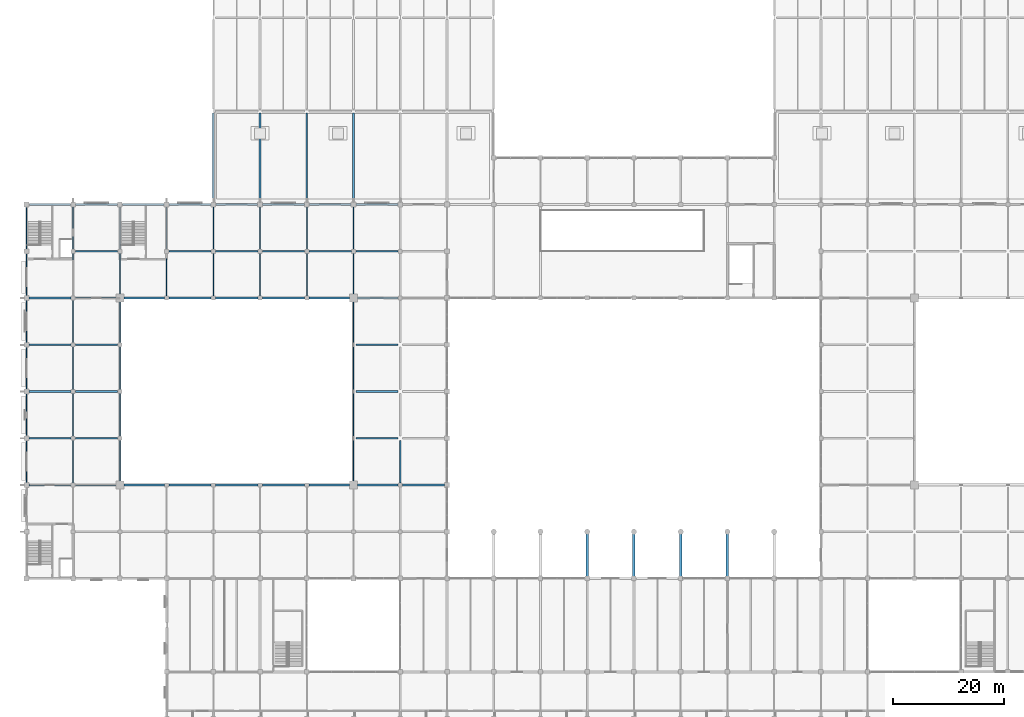
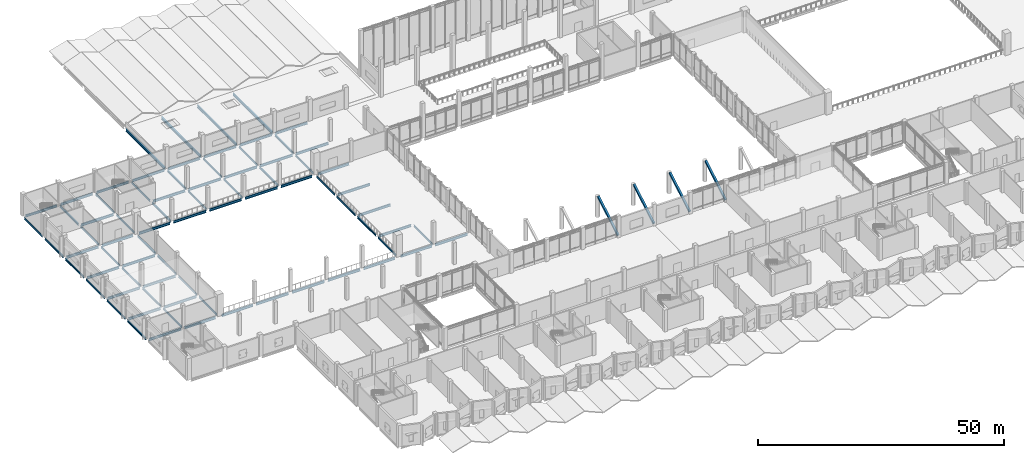
# One storey, part 13 of 72: 77 beams, 4 members.
"""IFC4 building model written with IfcOpenShell, lengths in metres."""

from ifc_helpers import new_model, si_unit, direction, frame, origin, origin_2d, place, context, subcontext, project, spatial, rectangle, i_section, extrude, material, material_profile, profile_set, type_object, element, save


model = new_model("IFC4")

# Units and contexts
model_context = context("Model", 3, precision=1e-05, world=origin(), true_north=direction((0.0, 1.0)))
body_context = subcontext(model_context, "Body", "Model", "MODEL_VIEW")
ifc_project = project(units=[si_unit("LENGTHUNIT", "METRE"), si_unit("AREAUNIT", "SQUARE_METRE"), si_unit("VOLUMEUNIT", "CUBIC_METRE"), si_unit("PLANEANGLEUNIT", "RADIAN"), si_unit("MASSUNIT", "GRAM", prefix="KILO")], contexts=[model_context])

# Site, building, storey
site_placement = place(None, origin())
site = spatial("IfcSite", under=ifc_project, at=site_placement, CompositionType="ELEMENT")
building_placement = place(site_placement, origin())
building = spatial("IfcBuilding", under=site, at=building_placement, Name="Qawsi Khor Wholesale Market", CompositionType="ELEMENT")
storey_placement = place(building_placement, frame((0.0, 0.0, 6.0)))
storey = spatial("IfcBuildingStorey", under=building, at=storey_placement, Name="L01", CompositionType="ELEMENT", Elevation=6.0)

# Beams
ifc_material_1 = material(Name="Steel S355", Category="steel")
ifc_material_profile_1 = material_profile(ifc_material_1, i_section(OverallWidth=0.300048828125, OverallDepth=0.60009765625, WebThickness=0.015380859375, FlangeThickness=0.030029296875, FilletRadius=0.027099609375, at=origin_2d()), Name="HEB 600")
ifc_profile_set_1 = profile_set([ifc_material_profile_1], Name="Steel S355")
beam_type_1 = type_object("IfcBeamType", Name="Heavy Edge Girder HEB 600", PredefinedType="BEAM", material=ifc_profile_set_1)
beam_1_placement = place(storey_placement, frame((0.449951171875, 92.39990234375, -0.570068359375), z_axis=(1.0, 0.0, 0.0), x_axis=(0.0, 1.0, 0.0)))
element("IfcBeam", 1, at=beam_1_placement, inside=storey, type_object=beam_type_1, Name="BM-X-L01-00_+11", PredefinedType="BEAM", context=body_context, shape_type="SweptSolid", body=[
    extrude(i_section(OverallWidth=0.300048828125, OverallDepth=0.60009765625, WebThickness=0.015380859375, FlangeThickness=0.030029296875, FilletRadius=0.027099609375, at=origin_2d()), origin(), (0.0, 0.0, 1.0), 7.550048828125),
])
for number, where, z_axis, x_axis, name in (
    (2, (8.800048828125, 92.39990234375, -0.570068359375), (1.0, 0.0, 0.0), (0.0, 1.0, 0.0), "BM-X-L01-01_+11"),
    (3, (17.5, 92.39990234375, -0.570068359375), (1.0, 0.0, 0.0), (0.0, 1.0, 0.0), "BM-X-L01-02_+11"),
):
    element("IfcBeam", number, at=place(storey_placement, frame(where, z_axis=z_axis, x_axis=x_axis)), inside=storey, type_object=beam_type_1, Name=name, PredefinedType="BEAM", context=body_context, shape_type="SweptSolid", body=[
        extrude(i_section(OverallWidth=0.300048828125, OverallDepth=0.60009765625, WebThickness=0.015380859375, FlangeThickness=0.030029296875, FilletRadius=0.027099609375, at=origin_2d()), origin(), (0.0, 0.0, 1.0), 7.300048828125),
    ])
beam_2_placement = place(storey_placement, frame((25.60009765625, 92.39990234375, -0.570068359375), z_axis=(1.0, 0.0, 0.0), x_axis=(0.0, 1.0, 0.0)))
element("IfcBeam", 4, at=beam_2_placement, inside=storey, type_object=beam_type_1, Name="BM-X-L01-03_+11", PredefinedType="BEAM", context=body_context, shape_type="SweptSolid", body=[
    extrude(i_section(OverallWidth=0.300048828125, OverallDepth=0.60009765625, WebThickness=0.015380859375, FlangeThickness=0.030029296875, FilletRadius=0.027099609375, at=origin_2d()), origin(), (0.0, 0.0, 1.0), 7.599853515625),
])
for number, where, z_axis, x_axis, name in (
    (5, (34.0, 92.39990234375, -0.570068359375), (1.0, 0.0, 0.0), (0.0, 1.0, 0.0), "BM-X-L01-04_+11"),
    (6, (42.39990234375, 92.39990234375, -0.570068359375), (1.0, 0.0, 0.0), (0.0, 1.0, 0.0), "BM-X-L01-05_+11"),
):
    element("IfcBeam", number, at=place(storey_placement, frame(where, z_axis=z_axis, x_axis=x_axis)), inside=storey, type_object=beam_type_1, Name=name, PredefinedType="BEAM", context=body_context, shape_type="SweptSolid", body=[
        extrude(i_section(OverallWidth=0.300048828125, OverallDepth=0.60009765625, WebThickness=0.015380859375, FlangeThickness=0.030029296875, FilletRadius=0.027099609375, at=origin_2d()), origin(), (0.0, 0.0, 1.0), 7.60009765625),
    ])
for number, where, z_axis, x_axis, name in (
    (7, (50.800048828125, 92.39990234375, -0.570068359375), (1.0, 0.0, 0.0), (0.0, 1.0, 0.0), "BM-X-L01-06_+11"),
    (8, (59.5, 92.39990234375, -0.570068359375), (1.0, 0.0, 0.0), (0.0, 1.0, 0.0), "BM-X-L01-07_+11"),
):
    element("IfcBeam", number, at=place(storey_placement, frame(where, z_axis=z_axis, x_axis=x_axis)), inside=storey, type_object=beam_type_1, Name=name, PredefinedType="BEAM", context=body_context, shape_type="SweptSolid", body=[
        extrude(i_section(OverallWidth=0.300048828125, OverallDepth=0.60009765625, WebThickness=0.015380859375, FlangeThickness=0.030029296875, FilletRadius=0.027099609375, at=origin_2d()), origin(), (0.0, 0.0, 1.0), 7.300048828125),
    ])
ifc_material_profile_2 = material_profile(ifc_material_1, i_section(OverallWidth=0.300048828125, OverallDepth=0.5400390625, WebThickness=0.012451171875, FlangeThickness=0.02392578125, FilletRadius=0.027099609375, at=origin_2d()), Name="HEA 550")
ifc_profile_set_2 = profile_set([ifc_material_profile_2], Name="Steel S355")
beam_type_2 = type_object("IfcBeamType", Name="Primary Girder HEA 550", PredefinedType="BEAM", material=ifc_profile_set_2)
beam_3_placement = place(storey_placement, frame((0.550048828125, 109.199951171875, -0.550048828125), z_axis=(1.0, 0.0, 0.0), x_axis=(0.0, 1.0, 0.0)))
element("IfcBeam", 9, at=beam_3_placement, inside=storey, type_object=beam_type_2, Name="BM-X-L01-00_+13", PredefinedType="BEAM", context=body_context, shape_type="SweptSolid", body=[
    extrude(i_section(OverallWidth=0.300048828125, OverallDepth=0.5400390625, WebThickness=0.012451171875, FlangeThickness=0.02392578125, FilletRadius=0.027099609375, at=origin_2d()), origin(), (0.0, 0.0, 1.0), 7.39990234375),
])
for number, where, z_axis, x_axis, name in (
    (10, (8.85009765625, 109.199951171875, -0.5400390625), (1.0, 0.0, 0.0), (0.0, 1.0, 0.0), "BM-X-L01-01_+13"),
    (11, (17.25, 109.199951171875, -0.550048828125), (1.0, 0.0, 0.0), (0.0, 1.0, 0.0), "BM-X-L01-02_+13"),
    (12, (25.64990234375, 109.199951171875, -0.5400390625), (1.0, 0.0, 0.0), (0.0, 1.0, 0.0), "BM-X-L01-03_+13"),
    (13, (34.050048828125, 109.199951171875, -0.570068359375), (1.0, 0.0, 0.0), (0.0, 1.0, 0.0), "BM-X-L01-04_+13"),
    (14, (42.449951171875, 109.199951171875, -0.570068359375), (1.0, 0.0, 0.0), (0.0, 1.0, 0.0), "BM-X-L01-05_+13"),
    (15, (50.85009765625, 109.199951171875, -0.570068359375), (1.0, 0.0, 0.0), (0.0, 1.0, 0.0), "BM-X-L01-06_+13"),
    (16, (59.25, 109.199951171875, -0.570068359375), (1.0, 0.0, 0.0), (0.0, 1.0, 0.0), "BM-X-L01-07_+13"),
):
    element("IfcBeam", number, at=place(storey_placement, frame(where, z_axis=z_axis, x_axis=x_axis)), inside=storey, type_object=beam_type_2, Name=name, PredefinedType="BEAM", context=body_context, shape_type="SweptSolid", body=[
        extrude(i_section(OverallWidth=0.300048828125, OverallDepth=0.5400390625, WebThickness=0.012451171875, FlangeThickness=0.02392578125, FilletRadius=0.027099609375, at=origin_2d()), origin(), (0.0, 0.0, 1.0), 7.5),
    ])
ifc_material_profile_3 = material_profile(ifc_material_1, i_section(OverallWidth=0.300048828125, OverallDepth=0.590087890625, WebThickness=0.012939453125, FlangeThickness=0.02490234375, FilletRadius=0.027099609375, at=origin_2d()), Name="HEA 600")
ifc_profile_set_3 = profile_set([ifc_material_profile_3], Name="Steel S355")
beam_type_3 = type_object("IfcBeamType", Name="Primary Girder HEA 600", PredefinedType="BEAM", material=ifc_profile_set_3)
for number, where, z_axis, x_axis, name in (
    (17, (0.449951171875, 58.800048828125, -0.56494140625), (1.0, 0.0, 0.0), (0.0, 1.0, 0.0), "BM-X-L01-00_+07"),
    (18, (0.449951171875, 67.199951171875, -0.56494140625), (1.0, 0.0, 0.0), (0.0, 1.0, 0.0), "BM-X-L01-00_+08"),
    (19, (0.449951171875, 75.60009765625, -0.56494140625), (1.0, 0.0, 0.0), (0.0, 1.0, 0.0), "BM-X-L01-00_+09"),
    (20, (0.449951171875, 84.0, -0.56494140625), (1.0, 0.0, 0.0), (0.0, 1.0, 0.0), "BM-X-L01-00_+10"),
):
    element("IfcBeam", number, at=place(storey_placement, frame(where, z_axis=z_axis, x_axis=x_axis)), inside=storey, type_object=beam_type_3, Name=name, PredefinedType="BEAM", context=body_context, shape_type="SweptSolid", body=[
        extrude(i_section(OverallWidth=0.300048828125, OverallDepth=0.590087890625, WebThickness=0.012939453125, FlangeThickness=0.02490234375, FilletRadius=0.027099609375, at=origin_2d()), origin(), (0.0, 0.0, 1.0), 7.550048828125),
    ])
beam_4_placement = place(storey_placement, frame((8.800048828125, 58.800048828125, -0.56494140625), z_axis=(1.0, 0.0, 0.0), x_axis=(0.0, 1.0, 0.0)))
element("IfcBeam", 21, at=beam_4_placement, inside=storey, type_object=beam_type_3, Name="BM-X-L01-01_+07", PredefinedType="BEAM", context=body_context, shape_type="SweptSolid", body=[
    extrude(i_section(OverallWidth=0.300048828125, OverallDepth=0.590087890625, WebThickness=0.012939453125, FlangeThickness=0.02490234375, FilletRadius=0.027099609375, at=origin_2d()), origin(), (0.0, 0.0, 1.0), 7.300048828125),
])
for number, where, z_axis, x_axis, name in (
    (22, (8.800048828125, 67.199951171875, -0.56494140625), (1.0, 0.0, 0.0), (0.0, 1.0, 0.0), "BM-X-L01-01_+08"),
    (23, (8.800048828125, 75.60009765625, -0.56494140625), (1.0, 0.0, 0.0), (0.0, 1.0, 0.0), "BM-X-L01-01_+09"),
    (24, (8.800048828125, 84.0, -0.56494140625), (1.0, 0.0, 0.0), (0.0, 1.0, 0.0), "BM-X-L01-01_+10"),
    (25, (8.800048828125, 100.800048828125, -0.56494140625), (1.0, 0.0, 0.0), (0.0, 1.0, 0.0), "BM-X-L01-01_+12"),
):
    element("IfcBeam", number, at=place(storey_placement, frame(where, z_axis=z_axis, x_axis=x_axis)), inside=storey, type_object=beam_type_3, Name=name, PredefinedType="BEAM", context=body_context, shape_type="SweptSolid", body=[
        extrude(i_section(OverallWidth=0.300048828125, OverallDepth=0.590087890625, WebThickness=0.012939453125, FlangeThickness=0.02490234375, FilletRadius=0.027099609375, at=origin_2d()), origin(), (0.0, 0.0, 1.0), 7.599853515625),
    ])
beam_5_placement = place(storey_placement, frame((17.5, 58.800048828125, -0.56494140625), z_axis=(1.0, 0.0, 0.0), x_axis=(0.0, 1.0, 0.0)))
element("IfcBeam", 26, at=beam_5_placement, inside=storey, type_object=beam_type_3, Name="BM-X-L01-02_+07", PredefinedType="BEAM", context=body_context, shape_type="SweptSolid", body=[
    extrude(i_section(OverallWidth=0.300048828125, OverallDepth=0.590087890625, WebThickness=0.012939453125, FlangeThickness=0.02490234375, FilletRadius=0.027099609375, at=origin_2d()), origin(), (0.0, 0.0, 1.0), 7.300048828125),
])
for number, where, z_axis, x_axis, name in (
    (27, (25.60009765625, 58.800048828125, -0.56494140625), (1.0, 0.0, 0.0), (0.0, 1.0, 0.0), "BM-X-L01-03_+07"),
    (28, (25.60009765625, 100.800048828125, -0.56494140625), (1.0, 0.0, 0.0), (0.0, 1.0, 0.0), "BM-X-L01-03_+12"),
):
    element("IfcBeam", number, at=place(storey_placement, frame(where, z_axis=z_axis, x_axis=x_axis)), inside=storey, type_object=beam_type_3, Name=name, PredefinedType="BEAM", context=body_context, shape_type="SweptSolid", body=[
        extrude(i_section(OverallWidth=0.300048828125, OverallDepth=0.590087890625, WebThickness=0.012939453125, FlangeThickness=0.02490234375, FilletRadius=0.027099609375, at=origin_2d()), origin(), (0.0, 0.0, 1.0), 7.599853515625),
    ])
for number, where, z_axis, x_axis, name in (
    (29, (34.0, 58.800048828125, -0.56494140625), (1.0, 0.0, 0.0), (0.0, 1.0, 0.0), "BM-X-L01-04_+07"),
    (30, (34.0, 100.800048828125, -0.56494140625), (1.0, 0.0, 0.0), (0.0, 1.0, 0.0), "BM-X-L01-04_+12"),
    (31, (42.39990234375, 58.800048828125, -0.56494140625), (1.0, 0.0, 0.0), (0.0, 1.0, 0.0), "BM-X-L01-05_+07"),
    (32, (42.39990234375, 100.800048828125, -0.56494140625), (1.0, 0.0, 0.0), (0.0, 1.0, 0.0), "BM-X-L01-05_+12"),
):
    element("IfcBeam", number, at=place(storey_placement, frame(where, z_axis=z_axis, x_axis=x_axis)), inside=storey, type_object=beam_type_3, Name=name, PredefinedType="BEAM", context=body_context, shape_type="SweptSolid", body=[
        extrude(i_section(OverallWidth=0.300048828125, OverallDepth=0.590087890625, WebThickness=0.012939453125, FlangeThickness=0.02490234375, FilletRadius=0.027099609375, at=origin_2d()), origin(), (0.0, 0.0, 1.0), 7.60009765625),
    ])
beam_6_placement = place(storey_placement, frame((50.800048828125, 58.800048828125, -0.56494140625), z_axis=(1.0, 0.0, 0.0), x_axis=(0.0, 1.0, 0.0)))
element("IfcBeam", 33, at=beam_6_placement, inside=storey, type_object=beam_type_3, Name="BM-X-L01-06_+07", PredefinedType="BEAM", context=body_context, shape_type="SweptSolid", body=[
    extrude(i_section(OverallWidth=0.300048828125, OverallDepth=0.590087890625, WebThickness=0.012939453125, FlangeThickness=0.02490234375, FilletRadius=0.027099609375, at=origin_2d()), origin(), (0.0, 0.0, 1.0), 7.300048828125),
])
beam_7_placement = place(storey_placement, frame((50.800048828125, 100.800048828125, -0.56494140625), z_axis=(1.0, 0.0, 0.0), x_axis=(0.0, 1.0, 0.0)))
element("IfcBeam", 34, at=beam_7_placement, inside=storey, type_object=beam_type_3, Name="BM-X-L01-06_+12", PredefinedType="BEAM", context=body_context, shape_type="SweptSolid", body=[
    extrude(i_section(OverallWidth=0.300048828125, OverallDepth=0.590087890625, WebThickness=0.012939453125, FlangeThickness=0.02490234375, FilletRadius=0.027099609375, at=origin_2d()), origin(), (0.0, 0.0, 1.0), 7.599853515625),
])
beam_8_placement = place(storey_placement, frame((59.5, 58.800048828125, -0.56494140625), z_axis=(1.0, 0.0, 0.0), x_axis=(0.0, 1.0, 0.0)))
element("IfcBeam", 35, at=beam_8_placement, inside=storey, type_object=beam_type_3, Name="BM-X-L01-07_+07", PredefinedType="BEAM", context=body_context, shape_type="SweptSolid", body=[
    extrude(i_section(OverallWidth=0.300048828125, OverallDepth=0.590087890625, WebThickness=0.012939453125, FlangeThickness=0.02490234375, FilletRadius=0.027099609375, at=origin_2d()), origin(), (0.0, 0.0, 1.0), 7.300048828125),
])
for number, where, z_axis, x_axis, name in (
    (36, (59.199951171875, 67.199951171875, -0.56494140625), (1.0, 0.0, 0.0), (0.0, 1.0, 0.0), "BM-X-L01-07_+08"),
    (37, (59.199951171875, 75.60009765625, -0.56494140625), (1.0, 0.0, 0.0), (0.0, 1.0, 0.0), "BM-X-L01-07_+09"),
    (38, (59.199951171875, 84.0, -0.56494140625), (1.0, 0.0, 0.0), (0.0, 1.0, 0.0), "BM-X-L01-07_+10"),
    (39, (59.199951171875, 100.800048828125, -0.56494140625), (1.0, 0.0, 0.0), (0.0, 1.0, 0.0), "BM-X-L01-07_+12"),
):
    element("IfcBeam", number, at=place(storey_placement, frame(where, z_axis=z_axis, x_axis=x_axis)), inside=storey, type_object=beam_type_3, Name=name, PredefinedType="BEAM", context=body_context, shape_type="SweptSolid", body=[
        extrude(i_section(OverallWidth=0.300048828125, OverallDepth=0.590087890625, WebThickness=0.012939453125, FlangeThickness=0.02490234375, FilletRadius=0.027099609375, at=origin_2d()), origin(), (0.0, 0.0, 1.0), 7.60009765625),
    ])
beam_9_placement = place(storey_placement, frame((67.60009765625, 58.800048828125, -0.56494140625), z_axis=(1.0, 0.0, 0.0), x_axis=(0.0, 1.0, 0.0)))
element("IfcBeam", 40, at=beam_9_placement, inside=storey, type_object=beam_type_3, Name="BM-X-L01-08_+07", PredefinedType="BEAM", context=body_context, shape_type="SweptSolid", body=[
    extrude(i_section(OverallWidth=0.300048828125, OverallDepth=0.590087890625, WebThickness=0.012939453125, FlangeThickness=0.02490234375, FilletRadius=0.027099609375, at=origin_2d()), origin(), (0.0, 0.0, 1.0), 7.5498046875),
])
ifc_material_profile_4 = material_profile(ifc_material_1, i_section(OverallWidth=0.300048828125, OverallDepth=0.639892578125, WebThickness=0.013427734375, FlangeThickness=0.02587890625, FilletRadius=0.027099609375, at=origin_2d()), Name="HEA 650")
ifc_profile_set_4 = profile_set([ifc_material_profile_4], Name="Steel S355")
beam_type_4 = type_object("IfcBeamType", Name="Primary Girder HEA 650", PredefinedType="BEAM", material=ifc_profile_set_4)
for number, where, z_axis, x_axis, name in (
    (41, (33.60009765625, 109.64990234375, -0.6201171875), (0.0, 1.0, 0.0), (-1.0, 0.0, 0.0), "BM-YL-L01-04_+13"),
    (42, (42.0, 109.64990234375, -0.6201171875), (0.0, 1.0, 0.0), (-1.0, 0.0, 0.0), "BM-YL-L01-05_+13"),
    (43, (50.39990234375, 109.64990234375, -0.6201171875), (0.0, 1.0, 0.0), (-1.0, 0.0, 0.0), "BM-YL-L01-06_+13"),
    (44, (58.800048828125, 109.64990234375, -0.6201171875), (0.0, 1.0, 0.0), (-1.0, 0.0, 0.0), "BM-YL-L01-07_+13"),
):
    element("IfcBeam", number, at=place(storey_placement, frame(where, z_axis=z_axis, x_axis=x_axis)), inside=storey, type_object=beam_type_4, Name=name, PredefinedType="BEAM", context=body_context, shape_type="SweptSolid", body=[
        extrude(i_section(OverallWidth=0.300048828125, OverallDepth=0.639892578125, WebThickness=0.013427734375, FlangeThickness=0.02587890625, FilletRadius=0.027099609375, at=origin_2d()), origin(), (0.0, 0.0, 1.0), 15.97509765625),
    ])

# Members
ifc_material_2 = material(Name="Concrete C40/50", Category="concrete")
ifc_material_profile_5 = material_profile(ifc_material_2, rectangle(XDim=0.449951171875, YDim=0.449951171875, at=origin_2d()), Name="RC 450x450")
ifc_profile_set_5 = profile_set([ifc_material_profile_5], Name="Concrete C40/50")
member_type = type_object("IfcMemberType", Name="Sculpted Concrete V-Strut RC 450x450", PredefinedType="STRUT", material=ifc_profile_set_5)
for number, where, z_axis, x_axis, name in (
    (45, (100.800048828125, 42.0, 0.35009765625), (0.0, 0.861689753874, 0.50743548168), (-1.0, 0.0, 0.0), "Court Balcony Raked Concrete Strut 12"),
    (46, (109.199951171875, 42.0, 0.35009765625), (0.0, 0.861689753874, 0.50743548168), (-1.0, 0.0, 0.0), "Court Balcony Raked Concrete Strut 13"),
    (47, (117.60009765625, 42.0, 0.35009765625), (0.0, 0.861689753874, 0.50743548168), (-1.0, 0.0, 0.0), "Court Balcony Raked Concrete Strut 14"),
    (48, (126.0, 42.0, 0.35009765625), (0.0, 0.861689753874, 0.50743548168), (-1.0, 0.0, 0.0), "Court Balcony Raked Concrete Strut 15"),
):
    element("IfcMember", number, at=place(storey_placement, frame(where, z_axis=z_axis, x_axis=x_axis)), inside=storey, type_object=member_type, Name=name, PredefinedType="STRUT", context=body_context, shape_type="SweptSolid", body=[
        extrude(rectangle(XDim=0.449951171875, YDim=0.449951171875, at=origin_2d()), origin(), (0.0, 0.0, 1.0), 9.400146484375),
    ])

# Beams
ifc_material_profile_6 = material_profile(ifc_material_1, i_section(OverallWidth=0.199951171875, OverallDepth=0.5, WebThickness=0.01025390625, FlangeThickness=0.01611328125, FilletRadius=0.02099609375, at=origin_2d()), Name="IPE 500")
ifc_profile_set_6 = profile_set([ifc_material_profile_6], Name="Steel S355")
beam_type_5 = type_object("IfcBeamType", Name="Secondary Beam IPE 500", PredefinedType="BEAM", material=ifc_profile_set_6)
for number, where, z_axis, x_axis, name in (
    (49, (0.0, 59.25, -0.52001953125), (0.0, 1.0, 0.0), (-1.0, 0.0, 0.0), "BM-Y-L01-00_+07"),
    (50, (0.0, 67.64990234375, -0.52001953125), (0.0, 1.0, 0.0), (-1.0, 0.0, 0.0), "BM-Y-L01-00_+08"),
    (51, (0.0, 76.050048828125, -0.52001953125), (0.0, 1.0, 0.0), (-1.0, 0.0, 0.0), "BM-Y-L01-00_+09"),
    (52, (0.0, 84.449951171875, -0.52001953125), (0.0, 1.0, 0.0), (-1.0, 0.0, 0.0), "BM-Y-L01-00_+10"),
    (53, (0.0, 92.85009765625, -0.52001953125), (0.0, 1.0, 0.0), (-1.0, 0.0, 0.0), "BM-Y-L01-00_+11"),
):
    element("IfcBeam", number, at=place(storey_placement, frame(where, z_axis=z_axis, x_axis=x_axis)), inside=storey, type_object=beam_type_5, Name=name, PredefinedType="BEAM", context=body_context, shape_type="SweptSolid", body=[
        extrude(i_section(OverallWidth=0.199951171875, OverallDepth=0.5, WebThickness=0.01025390625, FlangeThickness=0.01611328125, FilletRadius=0.02099609375, at=origin_2d()), origin(), (0.0, 0.0, 1.0), 7.5),
    ])
beam_10_placement = place(storey_placement, frame((0.0, 101.25, -0.530029296875), z_axis=(0.0, 1.0, 0.0), x_axis=(-1.0, 0.0, 0.0)))
element("IfcBeam", 54, at=beam_10_placement, inside=storey, type_object=beam_type_5, Name="BM-Y-L01-00_+12", PredefinedType="BEAM", context=body_context, shape_type="SweptSolid", body=[
    extrude(i_section(OverallWidth=0.199951171875, OverallDepth=0.5, WebThickness=0.01025390625, FlangeThickness=0.01611328125, FilletRadius=0.02099609375, at=origin_2d()), origin(), (0.0, 0.0, 1.0), 7.39990234375),
])
beam_11_placement = place(storey_placement, frame((8.39990234375, 59.199951171875, -0.52001953125), z_axis=(0.0, 1.0, 0.0), x_axis=(-1.0, 0.0, 0.0)))
element("IfcBeam", 55, at=beam_11_placement, inside=storey, type_object=beam_type_5, Name="BM-Y-L01-01_+07", PredefinedType="BEAM", context=body_context, shape_type="SweptSolid", body=[
    extrude(i_section(OverallWidth=0.199951171875, OverallDepth=0.5, WebThickness=0.01025390625, FlangeThickness=0.01611328125, FilletRadius=0.02099609375, at=origin_2d()), origin(), (0.0, 0.0, 1.0), 7.60009765625),
])
beam_12_placement = place(storey_placement, frame((8.39990234375, 67.60009765625, -0.52001953125), z_axis=(0.0, 1.0, 0.0), x_axis=(-1.0, 0.0, 0.0)))
element("IfcBeam", 56, at=beam_12_placement, inside=storey, type_object=beam_type_5, Name="BM-Y-L01-01_+08", PredefinedType="BEAM", context=body_context, shape_type="SweptSolid", body=[
    extrude(i_section(OverallWidth=0.199951171875, OverallDepth=0.5, WebThickness=0.01025390625, FlangeThickness=0.01611328125, FilletRadius=0.02099609375, at=origin_2d()), origin(), (0.0, 0.0, 1.0), 7.599853515625),
])
for number, where, z_axis, x_axis, name in (
    (57, (8.39990234375, 76.0, -0.52001953125), (0.0, 1.0, 0.0), (-1.0, 0.0, 0.0), "BM-Y-L01-01_+09"),
    (58, (8.39990234375, 84.39990234375, -0.52001953125), (0.0, 1.0, 0.0), (-1.0, 0.0, 0.0), "BM-Y-L01-01_+10"),
):
    element("IfcBeam", number, at=place(storey_placement, frame(where, z_axis=z_axis, x_axis=x_axis)), inside=storey, type_object=beam_type_5, Name=name, PredefinedType="BEAM", context=body_context, shape_type="SweptSolid", body=[
        extrude(i_section(OverallWidth=0.199951171875, OverallDepth=0.5, WebThickness=0.01025390625, FlangeThickness=0.01611328125, FilletRadius=0.02099609375, at=origin_2d()), origin(), (0.0, 0.0, 1.0), 7.60009765625),
    ])
beam_13_placement = place(storey_placement, frame((8.39990234375, 92.800048828125, -0.52001953125), z_axis=(0.0, 1.0, 0.0), x_axis=(-1.0, 0.0, 0.0)))
element("IfcBeam", 59, at=beam_13_placement, inside=storey, type_object=beam_type_5, Name="BM-Y-L01-01_+11", PredefinedType="BEAM", context=body_context, shape_type="SweptSolid", body=[
    extrude(i_section(OverallWidth=0.199951171875, OverallDepth=0.5, WebThickness=0.01025390625, FlangeThickness=0.01611328125, FilletRadius=0.02099609375, at=origin_2d()), origin(), (0.0, 0.0, 1.0), 7.599853515625),
])
beam_14_placement = place(storey_placement, frame((8.39990234375, 101.199951171875, -0.530029296875), z_axis=(0.0, 1.0, 0.0), x_axis=(-1.0, 0.0, 0.0)))
element("IfcBeam", 60, at=beam_14_placement, inside=storey, type_object=beam_type_5, Name="BM-Y-L01-01_+12", PredefinedType="BEAM", context=body_context, shape_type="SweptSolid", body=[
    extrude(i_section(OverallWidth=0.199951171875, OverallDepth=0.5, WebThickness=0.01025390625, FlangeThickness=0.01611328125, FilletRadius=0.02099609375, at=origin_2d()), origin(), (0.0, 0.0, 1.0), 7.550048828125),
])
beam_15_placement = place(storey_placement, frame((16.800048828125, 59.5, -0.52001953125), z_axis=(0.0, 1.0, 0.0), x_axis=(-1.0, 0.0, 0.0)))
element("IfcBeam", 61, at=beam_15_placement, inside=storey, type_object=beam_type_5, Name="BM-Y-L01-02_+07", PredefinedType="BEAM", context=body_context, shape_type="SweptSolid", body=[
    extrude(i_section(OverallWidth=0.199951171875, OverallDepth=0.5, WebThickness=0.01025390625, FlangeThickness=0.01611328125, FilletRadius=0.02099609375, at=origin_2d()), origin(), (0.0, 0.0, 1.0), 7.300048828125),
])
beam_16_placement = place(storey_placement, frame((16.800048828125, 67.60009765625, -0.52001953125), z_axis=(0.0, 1.0, 0.0), x_axis=(-1.0, 0.0, 0.0)))
element("IfcBeam", 62, at=beam_16_placement, inside=storey, type_object=beam_type_5, Name="BM-Y-L01-02_+08", PredefinedType="BEAM", context=body_context, shape_type="SweptSolid", body=[
    extrude(i_section(OverallWidth=0.199951171875, OverallDepth=0.5, WebThickness=0.01025390625, FlangeThickness=0.01611328125, FilletRadius=0.02099609375, at=origin_2d()), origin(), (0.0, 0.0, 1.0), 7.599853515625),
])
beam_17_placement = place(storey_placement, frame((16.800048828125, 76.0, -0.52001953125), z_axis=(0.0, 1.0, 0.0), x_axis=(-1.0, 0.0, 0.0)))
element("IfcBeam", 63, at=beam_17_placement, inside=storey, type_object=beam_type_5, Name="BM-Y-L01-02_+09", PredefinedType="BEAM", context=body_context, shape_type="SweptSolid", body=[
    extrude(i_section(OverallWidth=0.199951171875, OverallDepth=0.5, WebThickness=0.01025390625, FlangeThickness=0.01611328125, FilletRadius=0.02099609375, at=origin_2d()), origin(), (0.0, 0.0, 1.0), 7.60009765625),
])
beam_18_placement = place(storey_placement, frame((16.800048828125, 84.39990234375, -0.52001953125), z_axis=(0.0, 1.0, 0.0), x_axis=(-1.0, 0.0, 0.0)))
element("IfcBeam", 64, at=beam_18_placement, inside=storey, type_object=beam_type_5, Name="BM-Y-L01-02_+10", PredefinedType="BEAM", context=body_context, shape_type="SweptSolid", body=[
    extrude(i_section(OverallWidth=0.199951171875, OverallDepth=0.5, WebThickness=0.01025390625, FlangeThickness=0.01611328125, FilletRadius=0.02099609375, at=origin_2d()), origin(), (0.0, 0.0, 1.0), 7.300048828125),
])
beam_19_placement = place(storey_placement, frame((16.800048828125, 93.10009765625, -0.52001953125), z_axis=(0.0, 1.0, 0.0), x_axis=(-1.0, 0.0, 0.0)))
element("IfcBeam", 65, at=beam_19_placement, inside=storey, type_object=beam_type_5, Name="BM-Y-L01-02_+11", PredefinedType="BEAM", context=body_context, shape_type="SweptSolid", body=[
    extrude(i_section(OverallWidth=0.199951171875, OverallDepth=0.5, WebThickness=0.01025390625, FlangeThickness=0.01611328125, FilletRadius=0.02099609375, at=origin_2d()), origin(), (0.0, 0.0, 1.0), 7.2998046875),
])
beam_20_placement = place(storey_placement, frame((16.800048828125, 101.199951171875, -0.530029296875), z_axis=(0.0, 1.0, 0.0), x_axis=(-1.0, 0.0, 0.0)))
element("IfcBeam", 66, at=beam_20_placement, inside=storey, type_object=beam_type_5, Name="BM-Y-L01-02_+12", PredefinedType="BEAM", context=body_context, shape_type="SweptSolid", body=[
    extrude(i_section(OverallWidth=0.199951171875, OverallDepth=0.5, WebThickness=0.01025390625, FlangeThickness=0.01611328125, FilletRadius=0.02099609375, at=origin_2d()), origin(), (0.0, 0.0, 1.0), 7.550048828125),
])
beam_21_placement = place(storey_placement, frame((25.199951171875, 92.800048828125, -0.52001953125), z_axis=(0.0, 1.0, 0.0), x_axis=(-1.0, 0.0, 0.0)))
element("IfcBeam", 67, at=beam_21_placement, inside=storey, type_object=beam_type_5, Name="BM-Y-L01-03_+11", PredefinedType="BEAM", context=body_context, shape_type="SweptSolid", body=[
    extrude(i_section(OverallWidth=0.199951171875, OverallDepth=0.5, WebThickness=0.01025390625, FlangeThickness=0.01611328125, FilletRadius=0.02099609375, at=origin_2d()), origin(), (0.0, 0.0, 1.0), 7.599853515625),
])
beam_22_placement = place(storey_placement, frame((25.199951171875, 101.199951171875, -0.530029296875), z_axis=(0.0, 1.0, 0.0), x_axis=(-1.0, 0.0, 0.0)))
element("IfcBeam", 68, at=beam_22_placement, inside=storey, type_object=beam_type_5, Name="BM-Y-L01-03_+12", PredefinedType="BEAM", context=body_context, shape_type="SweptSolid", body=[
    extrude(i_section(OverallWidth=0.199951171875, OverallDepth=0.5, WebThickness=0.01025390625, FlangeThickness=0.01611328125, FilletRadius=0.02099609375, at=origin_2d()), origin(), (0.0, 0.0, 1.0), 7.550048828125),
])
beam_23_placement = place(storey_placement, frame((33.60009765625, 92.800048828125, -0.52001953125), z_axis=(0.0, 1.0, 0.0), x_axis=(-1.0, 0.0, 0.0)))
element("IfcBeam", 69, at=beam_23_placement, inside=storey, type_object=beam_type_5, Name="BM-Y-L01-04_+11", PredefinedType="BEAM", context=body_context, shape_type="SweptSolid", body=[
    extrude(i_section(OverallWidth=0.199951171875, OverallDepth=0.5, WebThickness=0.01025390625, FlangeThickness=0.01611328125, FilletRadius=0.02099609375, at=origin_2d()), origin(), (0.0, 0.0, 1.0), 7.599853515625),
])
beam_24_placement = place(storey_placement, frame((33.60009765625, 101.199951171875, -0.52001953125), z_axis=(0.0, 1.0, 0.0), x_axis=(-1.0, 0.0, 0.0)))
element("IfcBeam", 70, at=beam_24_placement, inside=storey, type_object=beam_type_5, Name="BM-Y-L01-04_+12", PredefinedType="BEAM", context=body_context, shape_type="SweptSolid", body=[
    extrude(i_section(OverallWidth=0.199951171875, OverallDepth=0.5, WebThickness=0.01025390625, FlangeThickness=0.01611328125, FilletRadius=0.02099609375, at=origin_2d()), origin(), (0.0, 0.0, 1.0), 7.550048828125),
])
beam_25_placement = place(storey_placement, frame((42.0, 92.800048828125, -0.52001953125), z_axis=(0.0, 1.0, 0.0), x_axis=(-1.0, 0.0, 0.0)))
element("IfcBeam", 71, at=beam_25_placement, inside=storey, type_object=beam_type_5, Name="BM-Y-L01-05_+11", PredefinedType="BEAM", context=body_context, shape_type="SweptSolid", body=[
    extrude(i_section(OverallWidth=0.199951171875, OverallDepth=0.5, WebThickness=0.01025390625, FlangeThickness=0.01611328125, FilletRadius=0.02099609375, at=origin_2d()), origin(), (0.0, 0.0, 1.0), 7.599853515625),
])
beam_26_placement = place(storey_placement, frame((42.0, 101.199951171875, -0.52001953125), z_axis=(0.0, 1.0, 0.0), x_axis=(-1.0, 0.0, 0.0)))
element("IfcBeam", 72, at=beam_26_placement, inside=storey, type_object=beam_type_5, Name="BM-Y-L01-05_+12", PredefinedType="BEAM", context=body_context, shape_type="SweptSolid", body=[
    extrude(i_section(OverallWidth=0.199951171875, OverallDepth=0.5, WebThickness=0.01025390625, FlangeThickness=0.01611328125, FilletRadius=0.02099609375, at=origin_2d()), origin(), (0.0, 0.0, 1.0), 7.550048828125),
])
beam_27_placement = place(storey_placement, frame((50.39990234375, 92.800048828125, -0.52001953125), z_axis=(0.0, 1.0, 0.0), x_axis=(-1.0, 0.0, 0.0)))
element("IfcBeam", 73, at=beam_27_placement, inside=storey, type_object=beam_type_5, Name="BM-Y-L01-06_+11", PredefinedType="BEAM", context=body_context, shape_type="SweptSolid", body=[
    extrude(i_section(OverallWidth=0.199951171875, OverallDepth=0.5, WebThickness=0.01025390625, FlangeThickness=0.01611328125, FilletRadius=0.02099609375, at=origin_2d()), origin(), (0.0, 0.0, 1.0), 7.599853515625),
])
beam_28_placement = place(storey_placement, frame((50.39990234375, 101.199951171875, -0.52001953125), z_axis=(0.0, 1.0, 0.0), x_axis=(-1.0, 0.0, 0.0)))
element("IfcBeam", 74, at=beam_28_placement, inside=storey, type_object=beam_type_5, Name="BM-Y-L01-06_+12", PredefinedType="BEAM", context=body_context, shape_type="SweptSolid", body=[
    extrude(i_section(OverallWidth=0.199951171875, OverallDepth=0.5, WebThickness=0.01025390625, FlangeThickness=0.01611328125, FilletRadius=0.02099609375, at=origin_2d()), origin(), (0.0, 0.0, 1.0), 7.550048828125),
])
beam_29_placement = place(storey_placement, frame((58.800048828125, 59.5, -0.52001953125), z_axis=(0.0, 1.0, 0.0), x_axis=(-1.0, 0.0, 0.0)))
element("IfcBeam", 75, at=beam_29_placement, inside=storey, type_object=beam_type_5, Name="BM-Y-L01-07_+07", PredefinedType="BEAM", context=body_context, shape_type="SweptSolid", body=[
    extrude(i_section(OverallWidth=0.199951171875, OverallDepth=0.5, WebThickness=0.01025390625, FlangeThickness=0.01611328125, FilletRadius=0.02099609375, at=origin_2d()), origin(), (0.0, 0.0, 1.0), 7.300048828125),
])
beam_30_placement = place(storey_placement, frame((58.800048828125, 67.60009765625, -0.52001953125), z_axis=(0.0, 1.0, 0.0), x_axis=(-1.0, 0.0, 0.0)))
element("IfcBeam", 76, at=beam_30_placement, inside=storey, type_object=beam_type_5, Name="BM-Y-L01-07_+08", PredefinedType="BEAM", context=body_context, shape_type="SweptSolid", body=[
    extrude(i_section(OverallWidth=0.199951171875, OverallDepth=0.5, WebThickness=0.01025390625, FlangeThickness=0.01611328125, FilletRadius=0.02099609375, at=origin_2d()), origin(), (0.0, 0.0, 1.0), 7.599853515625),
])
beam_31_placement = place(storey_placement, frame((58.800048828125, 76.0, -0.52001953125), z_axis=(0.0, 1.0, 0.0), x_axis=(-1.0, 0.0, 0.0)))
element("IfcBeam", 77, at=beam_31_placement, inside=storey, type_object=beam_type_5, Name="BM-Y-L01-07_+09", PredefinedType="BEAM", context=body_context, shape_type="SweptSolid", body=[
    extrude(i_section(OverallWidth=0.199951171875, OverallDepth=0.5, WebThickness=0.01025390625, FlangeThickness=0.01611328125, FilletRadius=0.02099609375, at=origin_2d()), origin(), (0.0, 0.0, 1.0), 7.60009765625),
])
beam_32_placement = place(storey_placement, frame((58.800048828125, 84.39990234375, -0.52001953125), z_axis=(0.0, 1.0, 0.0), x_axis=(-1.0, 0.0, 0.0)))
element("IfcBeam", 78, at=beam_32_placement, inside=storey, type_object=beam_type_5, Name="BM-Y-L01-07_+10", PredefinedType="BEAM", context=body_context, shape_type="SweptSolid", body=[
    extrude(i_section(OverallWidth=0.199951171875, OverallDepth=0.5, WebThickness=0.01025390625, FlangeThickness=0.01611328125, FilletRadius=0.02099609375, at=origin_2d()), origin(), (0.0, 0.0, 1.0), 7.300048828125),
])
beam_33_placement = place(storey_placement, frame((58.800048828125, 93.10009765625, -0.52001953125), z_axis=(0.0, 1.0, 0.0), x_axis=(-1.0, 0.0, 0.0)))
element("IfcBeam", 79, at=beam_33_placement, inside=storey, type_object=beam_type_5, Name="BM-Y-L01-07_+11", PredefinedType="BEAM", context=body_context, shape_type="SweptSolid", body=[
    extrude(i_section(OverallWidth=0.199951171875, OverallDepth=0.5, WebThickness=0.01025390625, FlangeThickness=0.01611328125, FilletRadius=0.02099609375, at=origin_2d()), origin(), (0.0, 0.0, 1.0), 7.2998046875),
])
beam_34_placement = place(storey_placement, frame((58.800048828125, 101.199951171875, -0.52001953125), z_axis=(0.0, 1.0, 0.0), x_axis=(-1.0, 0.0, 0.0)))
element("IfcBeam", 80, at=beam_34_placement, inside=storey, type_object=beam_type_5, Name="BM-Y-L01-07_+12", PredefinedType="BEAM", context=body_context, shape_type="SweptSolid", body=[
    extrude(i_section(OverallWidth=0.199951171875, OverallDepth=0.5, WebThickness=0.01025390625, FlangeThickness=0.01611328125, FilletRadius=0.02099609375, at=origin_2d()), origin(), (0.0, 0.0, 1.0), 7.550048828125),
])
beam_35_placement = place(storey_placement, frame((67.199951171875, 59.199951171875, -0.52001953125), z_axis=(0.0, 1.0, 0.0), x_axis=(-1.0, 0.0, 0.0)))
element("IfcBeam", 81, at=beam_35_placement, inside=storey, type_object=beam_type_5, Name="BM-Y-L01-08_+07", PredefinedType="BEAM", context=body_context, shape_type="SweptSolid", body=[
    extrude(i_section(OverallWidth=0.199951171875, OverallDepth=0.5, WebThickness=0.01025390625, FlangeThickness=0.01611328125, FilletRadius=0.02099609375, at=origin_2d()), origin(), (0.0, 0.0, 1.0), 7.60009765625),
])

save(model, "model.ifc")
